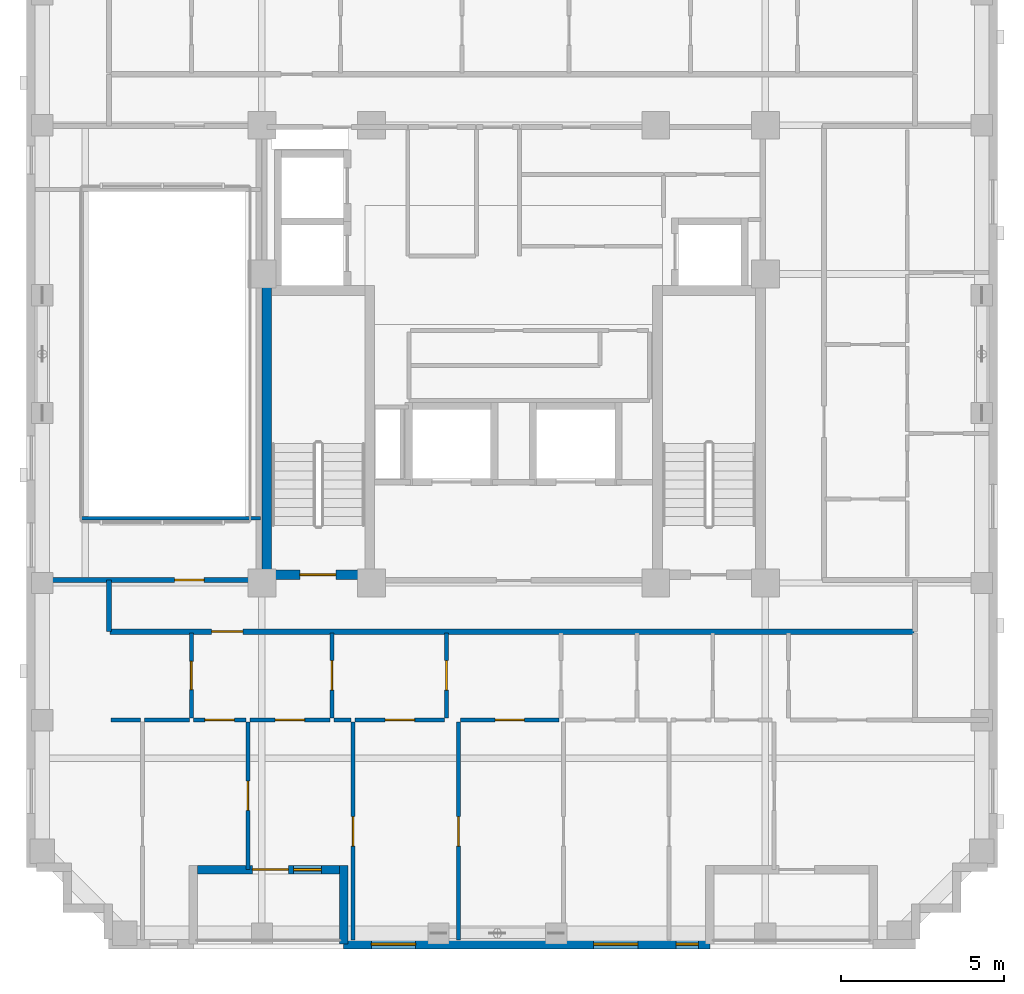
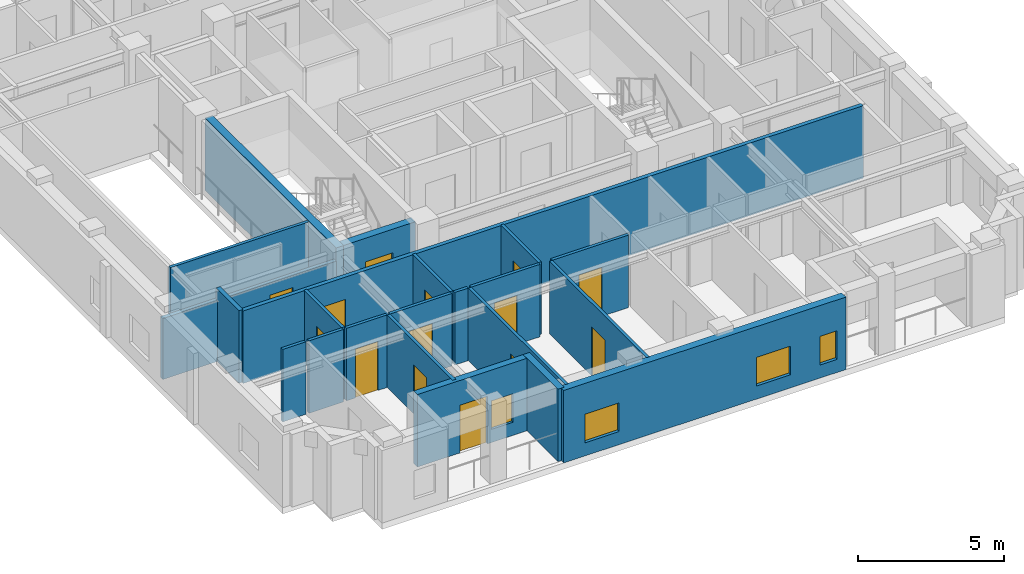
# One storey, part 4 of 13: 22 walls, 14 doors, 4 windows, 18 openings.
"""IFC4 building model written with IfcOpenShell, lengths in metres."""

from ifc_helpers import new_model, si_unit, derived_unit, direction, frame, frame_2d, origin, place, context, subcontext, project, spatial, rectangle, extrude, material, layer, layer_set, type_object, element, fill, save


model = new_model("IFC4")

# Units and contexts
model_context = context("Model", 3, precision=1e-05, world=origin(), true_north=direction((0.0, 1.0)))
body_context = subcontext(model_context, "Body", "Model", "MODEL_VIEW")
ifc_project = project(units=[si_unit("LENGTHUNIT", "METRE"), si_unit("AREAUNIT", "SQUARE_METRE"), si_unit("VOLUMEUNIT", "CUBIC_METRE"), si_unit("PLANEANGLEUNIT", "RADIAN"), si_unit("MASSUNIT", "GRAM", prefix="KILO"), derived_unit("THERMALTRANSMITTANCEUNIT", [(si_unit("MASSUNIT", "GRAM", prefix="KILO"), 1), (si_unit("TIMEUNIT", "SECOND"), -3), (si_unit("THERMODYNAMICTEMPERATUREUNIT", "KELVIN"), -1)])], contexts=[model_context])

# Site, building, storey
site_placement = place(None, origin())
site = spatial("IfcSite", under=ifc_project, at=site_placement, CompositionType="ELEMENT")
building_placement = place(site_placement, origin())
building = spatial("IfcBuilding", under=site, at=building_placement, Name="Korrvale Station Residences", CompositionType="ELEMENT")
storey_placement = place(building_placement, frame((0.0, 0.0, 181.0)))
storey = spatial("IfcBuildingStorey", under=building, at=storey_placement, Name="L52", CompositionType="ELEMENT", Elevation=181.0)

# Wall
ifc_material_1 = material(Name="Concrete C50/60", Category="concrete")
ifc_layer_1 = layer(ifc_material_1, 0.300048828125, Name="Concrete C50/60")
ifc_layer_set_1 = layer_set([ifc_layer_1], Name="Concrete C50/60")
wall_type_1 = type_object("IfcWallType", Name="WAL-CORE-300-C50", PredefinedType="SHEAR", material=ifc_layer_set_1)
wall_1_placement = place(storey_placement, frame((17.949951171875, 15.10009765625, 0.0), z_axis=(0.0, 0.0, 1.0), x_axis=(0.0, 1.0, 0.0)))
element("IfcWall", 1, at=wall_1_placement, inside=storey, type_object=wall_type_1, Name="L52 ST-1 Core Shear Wall West", PredefinedType="SHEAR", context=body_context, shape_type="SweptSolid", body=[
    extrude(rectangle(XDim=9.0, YDim=0.300048828125, at=frame_2d((4.5, 0.0))), origin(), (0.0, 0.0, 1.0), 3.0400390625),
])

# Wall, opening, door
wall_2_placement = place(storey_placement, frame((18.10009765625, 15.25, 0.0), z_axis=(0.0, 0.0, 1.0), x_axis=(1.0, 0.0, 0.0)))
wall_2 = element("IfcWall", 2, at=wall_2_placement, inside=storey, type_object=wall_type_1, Name="L52 ST-1 Core Shear Wall South", PredefinedType="SHEAR", context=body_context, shape_type="SweptSolid", body=[
    extrude(rectangle(XDim=2.849853515625, YDim=0.300048828125, at=frame_2d((1.4248046875, 0.0))), origin(), (0.0, 0.0, 1.0), 3.0400390625),
])
opening_1_placement = place(wall_2_placement, frame((0.860107421875, 0.0, 0.0)))
opening_1 = element("IfcOpeningElement", 3, at=opening_1_placement, cuts=wall_2, Name="Opening SD-1100", PredefinedType="OPENING", context=body_context, shape_type="SweptSolid", body=[
    extrude(rectangle(XDim=1.10009765625, YDim=2.050048828125, at=frame_2d((0.550048828125, 1.02490234375))), frame((0.0, 0.16015625, 0.0), z_axis=(0.0, -1.0, 0.0), x_axis=(1.0, 0.0, 0.0)), (0.0, 0.0, 1.0), 0.320068359375),
])
ifc_material_2 = material(Name="Hollow-metal fire-rated stair door with closer", Category="steel")
door_type_1 = type_object("IfcDoorType", Name="DR-STAIR-1100", OperationType="NOTDEFINED", PredefinedType="DOOR", material=ifc_material_2)
door_1_placement = place(opening_1_placement, origin())
door_1 = element("IfcDoor", 4, at=door_1_placement, inside=storey, type_object=door_type_1, Name="L52 ST-1 Exit Stair Door", OperationType="SINGLE_SWING_LEFT", OverallHeight=2.050048828125, OverallWidth=1.10009765625, PredefinedType="DOOR", context=body_context, shape_type="SweptSolid", body=[
    extrude(rectangle(XDim=1.10009765625, YDim=2.050048828125, at=frame_2d((0.550048828125, 1.02490234375))), frame((0.0, 0.02490234375, 0.0), z_axis=(0.0, -1.0, 0.0), x_axis=(1.0, 0.0, 0.0)), (0.0, 0.0, 1.0), 0.050048828125),
])
fill(opening_1, door_1)

# Wall
ifc_material_3 = material(Name="Precast concrete C45/55", Category="concrete")
ifc_layer_2 = layer(ifc_material_3, 0.260009765625, Name="Precast concrete C45/55")
ifc_layer_set_2 = layer_set([ifc_layer_2], Name="Precast concrete C45/55")
wall_type_2 = type_object("IfcWallType", Name="WAL-EXT-LOG260", PredefinedType="SOLIDWALL", material=ifc_layer_set_2)
wall_3_placement = place(storey_placement, frame((20.300048828125, 3.9599609375, 0.0), z_axis=(0.0, 0.0, 1.0), x_axis=(0.0, 1.0, 0.0)))
element("IfcWall", 5, at=wall_3_placement, inside=storey, type_object=wall_type_2, Name="L52 Recessed Loggia Wall BAL-L52-S1-L", PredefinedType="SOLIDWALL", context=body_context, shape_type="SweptSolid", body=[
    extrude(rectangle(XDim=2.400146484375, YDim=0.260009765625, at=frame_2d((1.2001953125, 0.0))), origin(), (0.0, 0.0, 1.0), 3.0400390625),
])

# Wall, openings, door, window
wall_4_placement = place(storey_placement, frame((20.166015625, 6.22998046875, 0.0), z_axis=(0.0, 0.0, 1.0), x_axis=(-1.0, 0.0, 0.0)))
wall_4 = element("IfcWall", 6, at=wall_4_placement, inside=storey, type_object=wall_type_2, Name="L52 Recessed Loggia Wall BAL-L52-S1-B", PredefinedType="SOLIDWALL", context=body_context, shape_type="SweptSolid", body=[
    extrude(rectangle(XDim=4.33203125, YDim=0.260009765625, at=frame_2d((2.166015625, 0.0))), origin(), (0.0, 0.0, 1.0), 3.0400390625),
])
opening_2_placement = place(wall_4_placement, frame((1.555908203125, 0.0, 0.0)))
opening_2 = element("IfcOpeningElement", 7, at=opening_2_placement, cuts=wall_4, Name="Opening BD-01", PredefinedType="OPENING", context=body_context, shape_type="SweptSolid", body=[
    extrude(rectangle(XDim=1.10009765625, YDim=2.0, at=frame_2d((0.550048828125, 1.0))), frame((0.0, 0.14013671875, 0.0), z_axis=(0.0, -1.0, 0.0), x_axis=(1.0, 0.0, 0.0)), (0.0, 0.0, 1.0), 0.280029296875),
])
opening_3_placement = place(wall_4_placement, frame((0.5458984375, 0.0, 0.550048828125)))
opening_3 = element("IfcOpeningElement", 8, at=opening_3_placement, cuts=wall_4, Name="Opening W-11", PredefinedType="OPENING", context=body_context, shape_type="SweptSolid", body=[
    extrude(rectangle(XDim=0.85009765625, YDim=1.199951171875, at=frame_2d((0.425048828125, 0.60009765625))), frame((0.0, 0.14013671875, 0.0), z_axis=(0.0, -1.0, 0.0), x_axis=(1.0, 0.0, 0.0)), (0.0, 0.0, 1.0), 0.280029296875),
])
ifc_material_4 = material(Name="Exterior thermally broken aluminium glazed balcony door", Category="aluminium")
door_type_2 = type_object("IfcDoorType", Name="DR-EXT-BAL", OperationType="NOTDEFINED", PredefinedType="DOOR", material=ifc_material_4)
door_2_placement = place(opening_2_placement, origin())
door_2 = element("IfcDoor", 9, at=door_2_placement, inside=storey, type_object=door_type_2, Name="L52 Loggia Balcony Door BAL-L52-S1", OperationType="SINGLE_SWING_LEFT", OverallHeight=2.0, OverallWidth=1.10009765625, PredefinedType="DOOR", context=body_context, shape_type="SweptSolid", body=[
    extrude(rectangle(XDim=1.10009765625, YDim=2.0, at=frame_2d((0.550048828125, 1.0))), frame((0.0, 0.02490234375, 0.0), z_axis=(0.0, -1.0, 0.0), x_axis=(1.0, 0.0, 0.0)), (0.0, 0.0, 1.0), 0.050048828125),
])
fill(opening_2, door_2)
ifc_material_5 = material(Name="Thermally broken aluminium frame with triple low-e glazing", Category="aluminium")
window_type_1 = type_object("IfcWindowType", Name="WIN-W11", PartitioningType="SINGLE_PANEL", PredefinedType="WINDOW", material=ifc_material_5)
window_1_placement = place(opening_3_placement, origin())
window_1 = element("IfcWindow", 10, at=window_1_placement, inside=storey, type_object=window_type_1, Name="L52 Punched Window 03", OverallHeight=1.199951171875, OverallWidth=0.85009765625, PartitioningType="SINGLE_PANEL", PredefinedType="WINDOW", context=body_context, shape_type="SweptSolid", body=[
    extrude(rectangle(XDim=0.85009765625, YDim=1.199951171875, at=frame_2d((0.425048828125, 0.60009765625))), frame((0.0, 0.030029296875, 0.0), z_axis=(0.0, -1.0, 0.0), x_axis=(1.0, 0.0, 0.0)), (0.0, 0.0, 1.0), 0.06005859375),
])
fill(opening_3, window_1)

# Wall, openings, windows
ifc_layer_3 = layer(ifc_material_3, 0.300048828125, Name="Precast concrete C45/55")
ifc_layer_set_3 = layer_set([ifc_layer_3], Name="Precast concrete C45/55")
wall_type_3 = type_object("IfcWallType", Name="WAL-EXT-PC300", PredefinedType="SOLIDWALL", material=ifc_layer_set_3)
wall_5_placement = place(storey_placement, frame((31.5, 3.949951171875, 0.0), z_axis=(0.0, 0.0, 1.0), x_axis=(-1.0, 0.0, 0.0)))
wall_5 = element("IfcWall", 11, at=wall_5_placement, inside=storey, type_object=wall_type_3, Name="L52 South Exterior Precast Wall 2", PredefinedType="SOLIDWALL", context=body_context, shape_type="SweptSolid", body=[
    extrude(rectangle(XDim=11.199951171875, YDim=0.300048828125, at=frame_2d((5.60009765625, 0.0))), origin(), (0.0, 0.0, 1.0), 3.0400390625),
])
opening_4_placement = place(wall_5_placement, frame((9.0, 0.0, 0.550048828125)))
opening_4 = element("IfcOpeningElement", 12, at=opening_4_placement, cuts=wall_5, Name="Opening W-10", PredefinedType="OPENING", context=body_context, shape_type="SweptSolid", body=[
    extrude(rectangle(XDim=1.35009765625, YDim=1.199951171875, at=frame_2d((0.675048828125, 0.60009765625))), frame((0.0, 0.16015625, 0.0), z_axis=(0.0, -1.0, 0.0), x_axis=(1.0, 0.0, 0.0)), (0.0, 0.0, 1.0), 0.320068359375),
])
opening_5_placement = place(wall_5_placement, frame((2.200927734375, 0.0, 0.550048828125)))
opening_5 = element("IfcOpeningElement", 13, at=opening_5_placement, cuts=wall_5, Name="Opening W-10", PredefinedType="OPENING", context=body_context, shape_type="SweptSolid", body=[
    extrude(rectangle(XDim=1.35009765625, YDim=1.199951171875, at=frame_2d((0.675048828125, 0.60009765625))), frame((0.0, 0.16015625, 0.0), z_axis=(0.0, -1.0, 0.0), x_axis=(1.0, 0.0, 0.0)), (0.0, 0.0, 1.0), 0.320068359375),
])
opening_6_placement = place(wall_5_placement, frame((0.35009765625, 0.0, 0.550048828125)))
opening_6 = element("IfcOpeningElement", 14, at=opening_6_placement, cuts=wall_5, Name="Opening W-12", PredefinedType="OPENING", context=body_context, shape_type="SweptSolid", body=[
    extrude(rectangle(XDim=0.679931640625, YDim=1.199951171875, at=frame_2d((0.33984375, 0.60009765625))), frame((0.0, 0.16015625, 0.0), z_axis=(0.0, -1.0, 0.0), x_axis=(1.0, 0.0, 0.0)), (0.0, 0.0, 1.0), 0.320068359375),
])
window_type_2 = type_object("IfcWindowType", Name="WIN-W10", PartitioningType="SINGLE_PANEL", PredefinedType="WINDOW", material=ifc_material_5)
window_2_placement = place(opening_4_placement, origin())
window_2 = element("IfcWindow", 15, at=window_2_placement, inside=storey, type_object=window_type_2, Name="L52 Punched Window 04", OverallHeight=1.199951171875, OverallWidth=1.35009765625, PartitioningType="SINGLE_PANEL", PredefinedType="WINDOW", context=body_context, shape_type="SweptSolid", body=[
    extrude(rectangle(XDim=1.35009765625, YDim=1.199951171875, at=frame_2d((0.675048828125, 0.60009765625))), frame((0.0, 0.030029296875, 0.0), z_axis=(0.0, -1.0, 0.0), x_axis=(1.0, 0.0, 0.0)), (0.0, 0.0, 1.0), 0.06005859375),
])
fill(opening_4, window_2)
window_3_placement = place(opening_5_placement, origin())
window_3 = element("IfcWindow", 16, at=window_3_placement, inside=storey, type_object=window_type_2, Name="L52 Punched Window 05", OverallHeight=1.199951171875, OverallWidth=1.35009765625, PartitioningType="SINGLE_PANEL", PredefinedType="WINDOW", context=body_context, shape_type="SweptSolid", body=[
    extrude(rectangle(XDim=1.35009765625, YDim=1.199951171875, at=frame_2d((0.675048828125, 0.60009765625))), frame((0.0, 0.030029296875, 0.0), z_axis=(0.0, -1.0, 0.0), x_axis=(1.0, 0.0, 0.0)), (0.0, 0.0, 1.0), 0.06005859375),
])
fill(opening_5, window_3)
window_type_3 = type_object("IfcWindowType", Name="WIN-W12", PartitioningType="SINGLE_PANEL", PredefinedType="WINDOW", material=ifc_material_5)
window_4_placement = place(opening_6_placement, origin())
window_4 = element("IfcWindow", 17, at=window_4_placement, inside=storey, type_object=window_type_3, Name="L52 Punched Window 06", OverallHeight=1.199951171875, OverallWidth=0.679931640625, PartitioningType="SINGLE_PANEL", PredefinedType="WINDOW", context=body_context, shape_type="SweptSolid", body=[
    extrude(rectangle(XDim=0.679931640625, YDim=1.199951171875, at=frame_2d((0.33984375, 0.60009765625))), frame((0.0, 0.030029296875, 0.0), z_axis=(0.0, -1.0, 0.0), x_axis=(1.0, 0.0, 0.0)), (0.0, 0.0, 1.0), 0.06005859375),
])
fill(opening_6, window_4)

# Wall
ifc_material_6 = material(Name="Acoustic steel-stud gypsum board partition", Category="steel")
ifc_layer_4 = layer(ifc_material_6, 0.1201171875, Name="Acoustic steel-stud gypsum board partition")
ifc_layer_set_4 = layer_set([ifc_layer_4], Name="Acoustic steel-stud gypsum board partition")
wall_type_4 = type_object("IfcWallType", Name="WAL-PART-125", PredefinedType="PARTITIONING", material=ifc_layer_set_4)
wall_6_placement = place(storey_placement, frame((12.280029296875, 16.97998046875, 0.0), z_axis=(0.0, 0.0, 1.0), x_axis=(1.0, 0.0, 0.0)))
element("IfcWall", 18, at=wall_6_placement, inside=storey, type_object=wall_type_4, Name="L52 Atrium Lounge Void Wall", PredefinedType="PARTITIONING", context=body_context, shape_type="SweptSolid", body=[
    extrude(rectangle(XDim=5.47998046875, YDim=0.1201171875, at=frame_2d((2.739990234375, 0.0))), origin(), (0.0, 0.0, 1.0), 3.0400390625),
])

# Wall, opening, door
wall_7_placement = place(storey_placement, frame((15.639892578125, 10.8701171875, 0.0), z_axis=(0.0, 0.0, 1.0), x_axis=(0.0, 1.0, 0.0)))
wall_7 = element("IfcWall", 19, at=wall_7_placement, inside=storey, type_object=wall_type_4, Name="L52 Suite Partition U01-V01", PredefinedType="PARTITIONING", context=body_context, shape_type="SweptSolid", body=[
    extrude(rectangle(XDim=2.599853515625, YDim=0.1201171875, at=frame_2d((1.2998046875, 0.0))), origin(), (0.0, 0.0, 1.0), 3.0400390625),
])
opening_7_placement = place(wall_7_placement, frame((0.8701171875, 0.0, 0.0)))
opening_7 = element("IfcOpeningElement", 20, at=opening_7_placement, cuts=wall_7, Name="Opening DB-860", PredefinedType="OPENING", context=body_context, shape_type="SweptSolid", body=[
    extrude(rectangle(XDim=0.860107421875, YDim=2.050048828125, at=frame_2d((0.43017578125, 1.02490234375))), frame((0.0, 0.070068359375, 0.0), z_axis=(0.0, -1.0, 0.0), x_axis=(1.0, 0.0, 0.0)), (0.0, 0.0, 1.0), 0.14013671875),
])
ifc_material_7 = material(Name="Moisture-resistant solid-core bathroom door", Category="timber")
door_type_3 = type_object("IfcDoorType", Name="DR-BATH-860", OperationType="NOTDEFINED", PredefinedType="DOOR", material=ifc_material_7)
door_3_placement = place(opening_7_placement, origin())
door_3 = element("IfcDoor", 21, at=door_3_placement, inside=storey, type_object=door_type_3, Name="L52 Studio Apartment L52-U01 Bathroom Door", OperationType="SINGLE_SWING_LEFT", OverallHeight=2.050048828125, OverallWidth=0.860107421875, PredefinedType="DOOR", context=body_context, shape_type="SweptSolid", body=[
    extrude(rectangle(XDim=0.860107421875, YDim=2.050048828125, at=frame_2d((0.43017578125, 1.02490234375))), frame((0.0, 0.02490234375, 0.0), z_axis=(0.0, -1.0, 0.0), x_axis=(1.0, 0.0, 0.0)), (0.0, 0.0, 1.0), 0.050048828125),
])
fill(opening_7, door_3)

# Walls
wall_8_placement = place(storey_placement, frame((13.179931640625, 10.81005859375, 0.0), z_axis=(0.0, 0.0, 1.0), x_axis=(1.0, 0.0, 0.0)))
element("IfcWall", 22, at=wall_8_placement, inside=storey, type_object=wall_type_4, Name="L52 Suite Partition U01-H08", PredefinedType="PARTITIONING", context=body_context, shape_type="SweptSolid", body=[
    extrude(rectangle(XDim=0.91015625, YDim=0.1201171875, at=frame_2d((0.455078125, 0.0))), origin(), (0.0, 0.0, 1.0), 3.0400390625),
])
wall_9_placement = place(storey_placement, frame((14.2099609375, 10.81005859375, 0.0), z_axis=(0.0, 0.0, 1.0), x_axis=(1.0, 0.0, 0.0)))
element("IfcWall", 23, at=wall_9_placement, inside=storey, type_object=wall_type_4, Name="L52 Suite Partition U01-H09", PredefinedType="PARTITIONING", context=body_context, shape_type="SweptSolid", body=[
    extrude(rectangle(XDim=1.3701171875, YDim=0.1201171875, at=frame_2d((0.68505859375, 0.0))), origin(), (0.0, 0.0, 1.0), 3.0400390625),
])

# Wall, opening, door
wall_10_placement = place(storey_placement, frame((19.93994140625, 10.8701171875, 0.0), z_axis=(0.0, 0.0, 1.0), x_axis=(0.0, 1.0, 0.0)))
wall_10 = element("IfcWall", 24, at=wall_10_placement, inside=storey, type_object=wall_type_4, Name="L52 Suite Partition U01-V12", PredefinedType="PARTITIONING", context=body_context, shape_type="SweptSolid", body=[
    extrude(rectangle(XDim=2.599853515625, YDim=0.1201171875, at=frame_2d((1.2998046875, 0.0))), origin(), (0.0, 0.0, 1.0), 3.0400390625),
])
opening_8_placement = place(wall_10_placement, frame((0.85009765625, 0.0, 0.0)))
opening_8 = element("IfcOpeningElement", 25, at=opening_8_placement, cuts=wall_10, Name="Opening DI-900", PredefinedType="OPENING", context=body_context, shape_type="SweptSolid", body=[
    extrude(rectangle(XDim=0.89990234375, YDim=2.050048828125, at=frame_2d((0.449951171875, 1.02490234375))), frame((0.0, 0.070068359375, 0.0), z_axis=(0.0, -1.0, 0.0), x_axis=(1.0, 0.0, 0.0)), (0.0, 0.0, 1.0), 0.14013671875),
])
ifc_material_8 = material(Name="Painted solid-core timber interior room door", Category="wood")
door_type_4 = type_object("IfcDoorType", Name="DR-INT-900", OperationType="NOTDEFINED", PredefinedType="DOOR", material=ifc_material_8)
door_4_placement = place(opening_8_placement, origin())
door_4 = element("IfcDoor", 26, at=door_4_placement, inside=storey, type_object=door_type_4, Name="L52 Studio Apartment L52-U01 Kitchen Door", OperationType="SINGLE_SWING_RIGHT", OverallHeight=2.050048828125, OverallWidth=0.89990234375, PredefinedType="DOOR", context=body_context, shape_type="SweptSolid", body=[
    extrude(rectangle(XDim=0.89990234375, YDim=2.050048828125, at=frame_2d((0.449951171875, 1.02490234375))), frame((0.0, 0.02490234375, 0.0), z_axis=(0.0, -1.0, 0.0), x_axis=(1.0, 0.0, 0.0)), (0.0, 0.0, 1.0), 0.050048828125),
])
fill(opening_8, door_4)

wall_11_placement = place(storey_placement, frame((15.699951171875, 10.81005859375, 0.0), z_axis=(0.0, 0.0, 1.0), x_axis=(1.0, 0.0, 0.0)))
wall_11 = element("IfcWall", 27, at=wall_11_placement, inside=storey, type_object=wall_type_4, Name="L52 Suite Partition U01-H19", PredefinedType="PARTITIONING", context=body_context, shape_type="SweptSolid", body=[
    extrude(rectangle(XDim=1.610107421875, YDim=0.1201171875, at=frame_2d((0.80517578125, 0.0))), origin(), (0.0, 0.0, 1.0), 3.0400390625),
])
opening_9_placement = place(wall_11_placement, frame((0.35498046875, 0.0, 0.0)))
opening_9 = element("IfcOpeningElement", 28, at=opening_9_placement, cuts=wall_11, Name="Opening DI-900", PredefinedType="OPENING", context=body_context, shape_type="SweptSolid", body=[
    extrude(rectangle(XDim=0.89990234375, YDim=2.050048828125, at=frame_2d((0.449951171875, 1.02490234375))), frame((0.0, 0.070068359375, 0.0), z_axis=(0.0, -1.0, 0.0), x_axis=(1.0, 0.0, 0.0)), (0.0, 0.0, 1.0), 0.14013671875),
])
door_5_placement = place(opening_9_placement, origin())
door_5 = element("IfcDoor", 29, at=door_5_placement, inside=storey, type_object=door_type_4, Name="L52 Studio Apartment L52-U01 Kitchen Door", OperationType="SINGLE_SWING_LEFT", OverallHeight=2.050048828125, OverallWidth=0.89990234375, PredefinedType="DOOR", context=body_context, shape_type="SweptSolid", body=[
    extrude(rectangle(XDim=0.89990234375, YDim=2.050048828125, at=frame_2d((0.449951171875, 1.02490234375))), frame((0.0, 0.02490234375, 0.0), z_axis=(0.0, -1.0, 0.0), x_axis=(1.0, 0.0, 0.0)), (0.0, 0.0, 1.0), 0.050048828125),
])
fill(opening_9, door_5)

wall_12_placement = place(storey_placement, frame((17.429931640625, 10.81005859375, 0.0), z_axis=(0.0, 0.0, 1.0), x_axis=(1.0, 0.0, 0.0)))
wall_12 = element("IfcWall", 30, at=wall_12_placement, inside=storey, type_object=wall_type_4, Name="L52 Suite Partition U01-H110", PredefinedType="PARTITIONING", context=body_context, shape_type="SweptSolid", body=[
    extrude(rectangle(XDim=2.449951171875, YDim=0.1201171875, at=frame_2d((1.22509765625, 0.0))), origin(), (0.0, 0.0, 1.0), 3.0400390625),
])
opening_10_placement = place(wall_12_placement, frame((0.77490234375, 0.0, 0.0)))
opening_10 = element("IfcOpeningElement", 31, at=opening_10_placement, cuts=wall_12, Name="Opening DI-900", PredefinedType="OPENING", context=body_context, shape_type="SweptSolid", body=[
    extrude(rectangle(XDim=0.89990234375, YDim=2.050048828125, at=frame_2d((0.449951171875, 1.02490234375))), frame((0.0, 0.070068359375, 0.0), z_axis=(0.0, -1.0, 0.0), x_axis=(1.0, 0.0, 0.0)), (0.0, 0.0, 1.0), 0.14013671875),
])
door_6_placement = place(opening_10_placement, origin())
door_6 = element("IfcDoor", 32, at=door_6_placement, inside=storey, type_object=door_type_4, Name="L52 Studio Apartment L52-U01 Kitchen Door", OperationType="SINGLE_SWING_RIGHT", OverallHeight=2.050048828125, OverallWidth=0.89990234375, PredefinedType="DOOR", context=body_context, shape_type="SweptSolid", body=[
    extrude(rectangle(XDim=0.89990234375, YDim=2.050048828125, at=frame_2d((0.449951171875, 1.02490234375))), frame((0.0, 0.02490234375, 0.0), z_axis=(0.0, -1.0, 0.0), x_axis=(1.0, 0.0, 0.0)), (0.0, 0.0, 1.0), 0.050048828125),
])
fill(opening_10, door_6)

wall_13_placement = place(storey_placement, frame((23.445068359375, 10.8701171875, 0.0), z_axis=(0.0, 0.0, 1.0), x_axis=(0.0, 1.0, 0.0)))
wall_13 = element("IfcWall", 33, at=wall_13_placement, inside=storey, type_object=wall_type_4, Name="L52 Suite Partition U01-V23", PredefinedType="PARTITIONING", context=body_context, shape_type="SweptSolid", body=[
    extrude(rectangle(XDim=2.599853515625, YDim=0.1201171875, at=frame_2d((1.2998046875, 0.0))), origin(), (0.0, 0.0, 1.0), 3.0400390625),
])
opening_11_placement = place(wall_13_placement, frame((0.85009765625, 0.0, 0.0)))
opening_11 = element("IfcOpeningElement", 34, at=opening_11_placement, cuts=wall_13, Name="Opening DI-900", PredefinedType="OPENING", context=body_context, shape_type="SweptSolid", body=[
    extrude(rectangle(XDim=0.89990234375, YDim=2.050048828125, at=frame_2d((0.449951171875, 1.02490234375))), frame((0.0, 0.070068359375, 0.0), z_axis=(0.0, -1.0, 0.0), x_axis=(1.0, 0.0, 0.0)), (0.0, 0.0, 1.0), 0.14013671875),
])
door_7_placement = place(opening_11_placement, origin())
door_7 = element("IfcDoor", 35, at=door_7_placement, inside=storey, type_object=door_type_4, Name="L52 Studio Apartment L52-U01 Home Study Room Door", OperationType="SINGLE_SWING_LEFT", OverallHeight=2.050048828125, OverallWidth=0.89990234375, PredefinedType="DOOR", context=body_context, shape_type="SweptSolid", body=[
    extrude(rectangle(XDim=0.89990234375, YDim=2.050048828125, at=frame_2d((0.449951171875, 1.02490234375))), frame((0.0, 0.02490234375, 0.0), z_axis=(0.0, -1.0, 0.0), x_axis=(1.0, 0.0, 0.0)), (0.0, 0.0, 1.0), 0.050048828125),
])
fill(opening_11, door_7)

# Wall
wall_14_placement = place(storey_placement, frame((20.0, 10.81005859375, 0.0), z_axis=(0.0, 0.0, 1.0), x_axis=(1.0, 0.0, 0.0)))
element("IfcWall", 36, at=wall_14_placement, inside=storey, type_object=wall_type_4, Name="L52 Suite Partition U01-H210", PredefinedType="PARTITIONING", context=body_context, shape_type="SweptSolid", body=[
    extrude(rectangle(XDim=0.530029296875, YDim=0.1201171875, at=frame_2d((0.26513671875, 0.0))), origin(), (0.0, 0.0, 1.0), 3.0400390625),
])

# Wall, opening, door
wall_15_placement = place(storey_placement, frame((20.64990234375, 10.81005859375, 0.0), z_axis=(0.0, 0.0, 1.0), x_axis=(1.0, 0.0, 0.0)))
wall_15 = element("IfcWall", 37, at=wall_15_placement, inside=storey, type_object=wall_type_4, Name="L52 Suite Partition U01-H211", PredefinedType="PARTITIONING", context=body_context, shape_type="SweptSolid", body=[
    extrude(rectangle(XDim=2.735107421875, YDim=0.1201171875, at=frame_2d((1.36767578125, 0.0))), origin(), (0.0, 0.0, 1.0), 3.0400390625),
])
opening_12_placement = place(wall_15_placement, frame((0.91796875, 0.0, 0.0)))
opening_12 = element("IfcOpeningElement", 38, at=opening_12_placement, cuts=wall_15, Name="Opening DI-900", PredefinedType="OPENING", context=body_context, shape_type="SweptSolid", body=[
    extrude(rectangle(XDim=0.89990234375, YDim=2.050048828125, at=frame_2d((0.449951171875, 1.02490234375))), frame((0.0, 0.070068359375, 0.0), z_axis=(0.0, -1.0, 0.0), x_axis=(1.0, 0.0, 0.0)), (0.0, 0.0, 1.0), 0.14013671875),
])
door_8_placement = place(opening_12_placement, origin())
door_8 = element("IfcDoor", 39, at=door_8_placement, inside=storey, type_object=door_type_4, Name="L52 Studio Apartment L52-U01 Home Study Room Door", OperationType="SINGLE_SWING_RIGHT", OverallHeight=2.050048828125, OverallWidth=0.89990234375, PredefinedType="DOOR", context=body_context, shape_type="SweptSolid", body=[
    extrude(rectangle(XDim=0.89990234375, YDim=2.050048828125, at=frame_2d((0.449951171875, 1.02490234375))), frame((0.0, 0.02490234375, 0.0), z_axis=(0.0, -1.0, 0.0), x_axis=(1.0, 0.0, 0.0)), (0.0, 0.0, 1.0), 0.050048828125),
])
fill(opening_12, door_8)

wall_16_placement = place(storey_placement, frame((23.8701171875, 10.81005859375, 0.0), z_axis=(0.0, 0.0, 1.0), x_axis=(1.0, 0.0, 0.0)))
wall_16 = element("IfcWall", 40, at=wall_16_placement, inside=storey, type_object=wall_type_4, Name="L52 Suite Partition U01-H312", PredefinedType="PARTITIONING", context=body_context, shape_type="SweptSolid", body=[
    extrude(rectangle(XDim=3.019775390625, YDim=0.1201171875, at=frame_2d((1.509765625, 0.0))), origin(), (0.0, 0.0, 1.0), 3.0400390625),
])
opening_13_placement = place(wall_16_placement, frame((1.06005859375, 0.0, 0.0)))
opening_13 = element("IfcOpeningElement", 41, at=opening_13_placement, cuts=wall_16, Name="Opening DI-900", PredefinedType="OPENING", context=body_context, shape_type="SweptSolid", body=[
    extrude(rectangle(XDim=0.89990234375, YDim=2.050048828125, at=frame_2d((0.449951171875, 1.02490234375))), frame((0.0, 0.070068359375, 0.0), z_axis=(0.0, -1.0, 0.0), x_axis=(1.0, 0.0, 0.0)), (0.0, 0.0, 1.0), 0.14013671875),
])
door_9_placement = place(opening_13_placement, origin())
door_9 = element("IfcDoor", 42, at=door_9_placement, inside=storey, type_object=door_type_4, Name="L52 Studio Apartment L52-U01 Home Study Room Door", OperationType="SINGLE_SWING_RIGHT", OverallHeight=2.050048828125, OverallWidth=0.89990234375, PredefinedType="DOOR", context=body_context, shape_type="SweptSolid", body=[
    extrude(rectangle(XDim=0.89990234375, YDim=2.050048828125, at=frame_2d((0.449951171875, 1.02490234375))), frame((0.0, 0.02490234375, 0.0), z_axis=(0.0, -1.0, 0.0), x_axis=(1.0, 0.0, 0.0)), (0.0, 0.0, 1.0), 0.050048828125),
])
fill(opening_13, door_9)

wall_17_placement = place(storey_placement, frame((17.3701171875, 6.22998046875, 0.0), z_axis=(0.0, 0.0, 1.0), x_axis=(0.0, 1.0, 0.0)))
wall_17 = element("IfcWall", 43, at=wall_17_placement, inside=storey, type_object=wall_type_4, Name="L52 Suite Partition U01-V910", PredefinedType="PARTITIONING", context=body_context, shape_type="SweptSolid", body=[
    extrude(rectangle(XDim=4.52001953125, YDim=0.1201171875, at=frame_2d((2.260009765625, 0.0))), origin(), (0.0, 0.0, 1.0), 3.0400390625),
])
opening_14_placement = place(wall_17_placement, frame((1.81005859375, 0.0, 0.0)))
opening_14 = element("IfcOpeningElement", 44, at=opening_14_placement, cuts=wall_17, Name="Opening DI-900", PredefinedType="OPENING", context=body_context, shape_type="SweptSolid", body=[
    extrude(rectangle(XDim=0.89990234375, YDim=2.050048828125, at=frame_2d((0.449951171875, 1.02490234375))), frame((0.0, 0.070068359375, 0.0), z_axis=(0.0, -1.0, 0.0), x_axis=(1.0, 0.0, 0.0)), (0.0, 0.0, 1.0), 0.14013671875),
])
door_10_placement = place(opening_14_placement, origin())
door_10 = element("IfcDoor", 45, at=door_10_placement, inside=storey, type_object=door_type_4, Name="L52 Studio Apartment L52-U01 Formal Dining Room Door", OperationType="SINGLE_SWING_LEFT", OverallHeight=2.050048828125, OverallWidth=0.89990234375, PredefinedType="DOOR", context=body_context, shape_type="SweptSolid", body=[
    extrude(rectangle(XDim=0.89990234375, YDim=2.050048828125, at=frame_2d((0.449951171875, 1.02490234375))), frame((0.0, 0.02490234375, 0.0), z_axis=(0.0, -1.0, 0.0), x_axis=(1.0, 0.0, 0.0)), (0.0, 0.0, 1.0), 0.050048828125),
])
fill(opening_14, door_10)

wall_18_placement = place(storey_placement, frame((20.590087890625, 4.080078125, 0.0), z_axis=(0.0, 0.0, 1.0), x_axis=(0.0, 1.0, 0.0)))
wall_18 = element("IfcWall", 46, at=wall_18_placement, inside=storey, type_object=wall_type_4, Name="L52 Suite Partition U01-V1011", PredefinedType="PARTITIONING", context=body_context, shape_type="SweptSolid", body=[
    extrude(rectangle(XDim=6.669921875, YDim=0.1201171875, at=frame_2d((3.3349609375, 0.0))), origin(), (0.0, 0.0, 1.0), 3.0400390625),
])
opening_15_placement = place(wall_18_placement, frame((2.8701171875, 0.0, 0.0)))
opening_15 = element("IfcOpeningElement", 47, at=opening_15_placement, cuts=wall_18, Name="Opening DI-900", PredefinedType="OPENING", context=body_context, shape_type="SweptSolid", body=[
    extrude(rectangle(XDim=0.89990234375, YDim=2.050048828125, at=frame_2d((0.449951171875, 1.02490234375))), frame((0.0, 0.070068359375, 0.0), z_axis=(0.0, -1.0, 0.0), x_axis=(1.0, 0.0, 0.0)), (0.0, 0.0, 1.0), 0.14013671875),
])
door_11_placement = place(opening_15_placement, origin())
door_11 = element("IfcDoor", 48, at=door_11_placement, inside=storey, type_object=door_type_4, Name="L52 Studio Apartment L52-U01 Formal Dining Room Door", OperationType="SINGLE_SWING_RIGHT", OverallHeight=2.050048828125, OverallWidth=0.89990234375, PredefinedType="DOOR", context=body_context, shape_type="SweptSolid", body=[
    extrude(rectangle(XDim=0.89990234375, YDim=2.050048828125, at=frame_2d((0.449951171875, 1.02490234375))), frame((0.0, 0.02490234375, 0.0), z_axis=(0.0, -1.0, 0.0), x_axis=(1.0, 0.0, 0.0)), (0.0, 0.0, 1.0), 0.050048828125),
])
fill(opening_15, door_11)

wall_19_placement = place(storey_placement, frame((23.81005859375, 4.080078125, 0.0), z_axis=(0.0, 0.0, 1.0), x_axis=(0.0, 1.0, 0.0)))
wall_19 = element("IfcWall", 49, at=wall_19_placement, inside=storey, type_object=wall_type_4, Name="L52 Suite Partition U01-V1112", PredefinedType="PARTITIONING", context=body_context, shape_type="SweptSolid", body=[
    extrude(rectangle(XDim=6.669921875, YDim=0.1201171875, at=frame_2d((3.3349609375, 0.0))), origin(), (0.0, 0.0, 1.0), 3.0400390625),
])
opening_16_placement = place(wall_19_placement, frame((2.8701171875, 0.0, 0.0)))
opening_16 = element("IfcOpeningElement", 50, at=opening_16_placement, cuts=wall_19, Name="Opening DI-900", PredefinedType="OPENING", context=body_context, shape_type="SweptSolid", body=[
    extrude(rectangle(XDim=0.89990234375, YDim=2.050048828125, at=frame_2d((0.449951171875, 1.02490234375))), frame((0.0, 0.070068359375, 0.0), z_axis=(0.0, -1.0, 0.0), x_axis=(1.0, 0.0, 0.0)), (0.0, 0.0, 1.0), 0.14013671875),
])
door_12_placement = place(opening_16_placement, origin())
door_12 = element("IfcDoor", 51, at=door_12_placement, inside=storey, type_object=door_type_4, Name="L52 Studio Apartment L52-U01 Formal Dining Room Door", OperationType="SINGLE_SWING_LEFT", OverallHeight=2.050048828125, OverallWidth=0.89990234375, PredefinedType="DOOR", context=body_context, shape_type="SweptSolid", body=[
    extrude(rectangle(XDim=0.89990234375, YDim=2.050048828125, at=frame_2d((0.449951171875, 1.02490234375))), frame((0.0, 0.02490234375, 0.0), z_axis=(0.0, -1.0, 0.0), x_axis=(1.0, 0.0, 0.0)), (0.0, 0.0, 1.0), 0.050048828125),
])
fill(opening_16, door_12)

# Wall
ifc_material_9 = material(Name="Fire-rated twin-stud gypsum and mineral wool shaftwall assembly", Category="gypsum")
ifc_layer_5 = layer(ifc_material_9, 0.159912109375, Name="Fire-rated twin-stud gypsum and mineral wool shaftwall assembly")
ifc_layer_set_5 = layer_set([ifc_layer_5], Name="Fire-rated twin-stud gypsum and mineral wool shaftwall assembly")
wall_type_5 = type_object("IfcWallType", Name="WAL-PART-200", PredefinedType="PARTITIONING", material=ifc_layer_set_5)
wall_20_placement = place(storey_placement, frame((13.1201171875, 13.510009765625, 0.0), z_axis=(0.0, 0.0, 1.0), x_axis=(0.0, 1.0, 0.0)))
element("IfcWall", 52, at=wall_20_placement, inside=storey, type_object=wall_type_5, Name="L52 Corridor South West Cap", PredefinedType="PARTITIONING", context=body_context, shape_type="SweptSolid", body=[
    extrude(rectangle(XDim=1.580078125, YDim=0.159912109375, at=frame_2d((0.7900390625, 0.0))), origin(), (0.0, 0.0, 1.0), 3.0400390625),
])

# Wall, opening, door
wall_21_placement = place(storey_placement, frame((10.8798828125, 15.090087890625, 0.0), z_axis=(0.0, 0.0, 1.0), x_axis=(1.0, 0.0, 0.0)))
wall_21 = element("IfcWall", 53, at=wall_21_placement, inside=storey, type_object=wall_type_5, Name="L52 Atrium Lounge South Wall", PredefinedType="PARTITIONING", context=body_context, shape_type="SweptSolid", body=[
    extrude(rectangle(XDim=6.880126953125, YDim=0.159912109375, at=frame_2d((3.43994140625, 0.0))), origin(), (0.0, 0.0, 1.0), 2.555908203125),
])
opening_17_placement = place(wall_21_placement, frame((4.25, 0.0, 0.0)))
opening_17 = element("IfcOpeningElement", 54, at=opening_17_placement, cuts=wall_21, Name="Opening DI-900", PredefinedType="OPENING", context=body_context, shape_type="SweptSolid", body=[
    extrude(rectangle(XDim=0.89990234375, YDim=2.050048828125, at=frame_2d((0.449951171875, 1.02490234375))), frame((0.0, 0.08984375, 0.0), z_axis=(0.0, -1.0, 0.0), x_axis=(1.0, 0.0, 0.0)), (0.0, 0.0, 1.0), 0.179931640625),
])
door_13_placement = place(opening_17_placement, origin())
door_13 = element("IfcDoor", 55, at=door_13_placement, inside=storey, type_object=door_type_4, Name="L52 Atrium Lounge South Door", OperationType="SINGLE_SWING_LEFT", OverallHeight=2.050048828125, OverallWidth=0.89990234375, PredefinedType="DOOR", context=body_context, shape_type="SweptSolid", body=[
    extrude(rectangle(XDim=0.89990234375, YDim=2.050048828125, at=frame_2d((0.449951171875, 1.02490234375))), frame((0.0, 0.02490234375, 0.0), z_axis=(0.0, -1.0, 0.0), x_axis=(1.0, 0.0, 0.0)), (0.0, 0.0, 1.0), 0.050048828125),
])
fill(opening_17, door_13)

wall_22_placement = place(storey_placement, frame((13.14990234375, 13.510009765625, 0.0), z_axis=(0.0, 0.0, 1.0), x_axis=(1.0, 0.0, 0.0)))
wall_22 = element("IfcWall", 56, at=wall_22_placement, inside=storey, type_object=wall_type_5, Name="L52 Rated Corridor Wall S", PredefinedType="PARTITIONING", context=body_context, shape_type="SweptSolid", body=[
    extrude(rectangle(XDim=24.60009765625, YDim=0.159912109375, at=frame_2d((12.300048828125, 0.0))), origin(), (0.0, 0.0, 1.0), 3.0400390625),
])
opening_18_placement = place(wall_22_placement, frame((3.114990234375, 0.0, 0.0)))
opening_18 = element("IfcOpeningElement", 57, at=opening_18_placement, cuts=wall_22, Name="Opening UD-950", PredefinedType="OPENING", context=body_context, shape_type="SweptSolid", body=[
    extrude(rectangle(XDim=0.949951171875, YDim=2.10009765625, at=frame_2d((0.47509765625, 1.050048828125))), frame((0.0, 0.08984375, 0.0), z_axis=(0.0, -1.0, 0.0), x_axis=(1.0, 0.0, 0.0)), (0.0, 0.0, 1.0), 0.179931640625),
])
ifc_material_10 = material(Name="Solid-core acoustic oak apartment entrance door", Category="timber")
door_type_5 = type_object("IfcDoorType", Name="DR-UNIT-950", OperationType="NOTDEFINED", PredefinedType="DOOR", material=ifc_material_10)
door_14_placement = place(opening_18_placement, origin())
door_14 = element("IfcDoor", 58, at=door_14_placement, inside=storey, type_object=door_type_5, Name="L52 Apartment L52-U01 Entrance Door", OperationType="SINGLE_SWING_RIGHT", OverallHeight=2.10009765625, OverallWidth=0.949951171875, PredefinedType="DOOR", context=body_context, shape_type="SweptSolid", body=[
    extrude(rectangle(XDim=0.949951171875, YDim=2.10009765625, at=frame_2d((0.47509765625, 1.050048828125))), frame((0.0, 0.02490234375, 0.0), z_axis=(0.0, -1.0, 0.0), x_axis=(1.0, 0.0, 0.0)), (0.0, 0.0, 1.0), 0.050048828125),
])
fill(opening_18, door_14)

save(model, "model.ifc")
